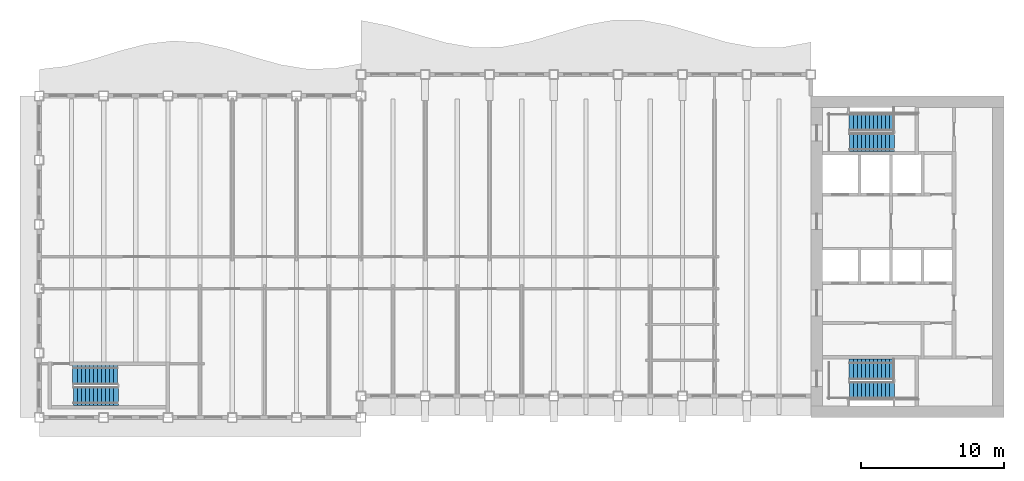
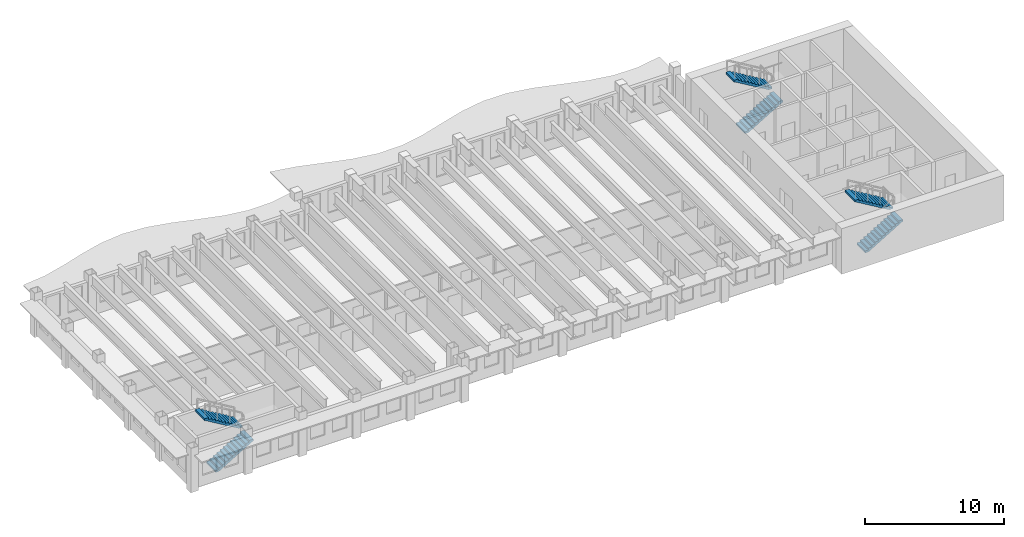
# One storey, part 7 of 12: 6 stair flights, 3 elements without a shape of their own.
"""IFC4 building model written with IfcOpenShell, lengths in metres."""

from ifc_helpers import new_model, si_unit, direction, frame, origin, place, context, subcontext, project, spatial, polyline, outline, extrude, material, type_object, element, aggregate, save


model = new_model("IFC4")

# Units and contexts
model_context = context("Model", 3, precision=1e-05, world=origin(), true_north=direction((0.0, 1.0)))
body_context = subcontext(model_context, "Body", "Model", "MODEL_VIEW")
ifc_project = project(units=[si_unit("LENGTHUNIT", "METRE"), si_unit("AREAUNIT", "SQUARE_METRE"), si_unit("VOLUMEUNIT", "CUBIC_METRE"), si_unit("PLANEANGLEUNIT", "RADIAN"), si_unit("MASSUNIT", "GRAM", prefix="KILO")], contexts=[model_context])

# Site, building, storey
site_placement = place(None, origin())
site = spatial("IfcSite", under=ifc_project, at=site_placement, CompositionType="ELEMENT")
building_placement = place(site_placement, origin())
building = spatial("IfcBuilding", under=site, at=building_placement, Name="Sennacour Bend Tower", CompositionType="ELEMENT")
storey_placement = place(building_placement, frame((0.0, 0.0, 293.0)))
storey = spatial("IfcBuildingStorey", under=building, at=storey_placement, Name="L68", CompositionType="ELEMENT", Elevation=293.0)

# Stair, stair flights
ifc_material = material(Name="Concrete C40/50", Category="concrete")
stair_type = type_object("IfcStairType", Name="ST-DOGLEG", PredefinedType="HALF_TURN_STAIR", material=ifc_material)
stair_1_placement = place(storey_placement, origin())
stair_1 = element("IfcStair", 1, at=stair_1_placement, inside=storey, type_object=stair_type, Name="L68 Exit stair A1", PredefinedType="HALF_TURN_STAIR")
stair_flight_type = type_object("IfcStairFlightType", Name="SFL-RC", PredefinedType="STRAIGHT", material=ifc_material)
stair_flight_1_placement = place(storey_placement, frame((56.699951171875, 1.89990234375, 0.0), z_axis=(0.0, 0.0, 1.0), x_axis=(1.0, 0.0, 0.0)))
stair_flight_1 = element("IfcStairFlight", 2, at=stair_flight_1_placement, type_object=stair_flight_type, Name="SA1 flight 1", NumberOfRisers=12, NumberOfTreads=11, PredefinedType="STRAIGHT", RiserHeight=0.166666667, TreadLength=0.28, context=body_context, shape_type="SweptSolid", body=[
    extrude(outline(polyline([(0.0, 0.0), (0.0, 0.166748046875), (0.280029296875, 0.166748046875), (0.280029296875, 0.333251953125), (0.56005859375, 0.333251953125), (0.56005859375, 0.5), (0.840087890625, 0.5), (0.840087890625, 0.666748046875), (1.1201171875, 0.666748046875), (1.1201171875, 0.833251953125), (1.39990234375, 0.833251953125), (1.39990234375, 1.0), (1.679931640625, 1.0), (1.679931640625, 1.166748046875), (1.9599609375, 1.166748046875), (1.9599609375, 1.333251953125), (2.239990234375, 1.333251953125), (2.239990234375, 1.5), (2.52001953125, 1.5), (2.52001953125, 1.666748046875), (2.800048828125, 1.666748046875), (2.800048828125, 1.833251953125), (3.080078125, 1.833251953125), (3.139892578125, 1.833251953125), (3.139892578125, 1.658935546875), (3.080078125, 1.658935546875), (0.29296875, 0.0), (0.0, 0.0)])), frame((0.0, 0.60009765625, 0.0), z_axis=(0.0, -1.0, 0.0), x_axis=(1.0, 0.0, 0.0)), (0.0, 0.0, 1.0), 1.199951171875),
])
stair_flight_2_placement = place(storey_placement, frame((59.780029296875, 3.37744140625, 2.0), z_axis=(0.0, 0.0, 1.0), x_axis=(-1.0, 0.0, 0.0)))
stair_flight_2 = element("IfcStairFlight", 3, at=stair_flight_2_placement, type_object=stair_flight_type, Name="SA1 flight 2", NumberOfRisers=12, NumberOfTreads=11, PredefinedType="STRAIGHT", RiserHeight=0.166666667, TreadLength=0.28, context=body_context, shape_type="SweptSolid", body=[
    extrude(outline(polyline([(0.0, 0.0), (0.0, 0.166748046875), (0.280029296875, 0.166748046875), (0.280029296875, 0.333251953125), (0.56005859375, 0.333251953125), (0.56005859375, 0.5), (0.840087890625, 0.5), (0.840087890625, 0.666748046875), (1.1201171875, 0.666748046875), (1.1201171875, 0.833251953125), (1.39990234375, 0.833251953125), (1.39990234375, 1.0), (1.679931640625, 1.0), (1.679931640625, 1.166748046875), (1.9599609375, 1.166748046875), (1.9599609375, 1.333251953125), (2.239990234375, 1.333251953125), (2.239990234375, 1.5), (2.52001953125, 1.5), (2.52001953125, 1.666748046875), (2.800048828125, 1.666748046875), (2.800048828125, 1.833251953125), (3.080078125, 1.833251953125), (3.139892578125, 1.833251953125), (3.139892578125, 1.658935546875), (3.080078125, 1.658935546875), (0.29296875, 0.0), (0.0, 0.0)])), frame((0.0, 0.7275390625, 0.0), z_axis=(0.0, -1.0, 0.0), x_axis=(1.0, 0.0, 0.0)), (0.0, 0.0, 1.0), 1.455078125),
])
aggregate(stair_1, [stair_flight_1, stair_flight_2])

stair_2_placement = place(storey_placement, origin())
stair_2 = element("IfcStair", 4, at=stair_2_placement, inside=storey, type_object=stair_type, Name="L68 Exit stair A2", PredefinedType="HALF_TURN_STAIR")
stair_flight_3_placement = place(storey_placement, frame((56.699951171875, 19.24755859375, 0.0), z_axis=(0.0, 0.0, 1.0), x_axis=(1.0, 0.0, 0.0)))
stair_flight_3 = element("IfcStairFlight", 5, at=stair_flight_3_placement, type_object=stair_flight_type, Name="SA2 flight 1", NumberOfRisers=12, NumberOfTreads=11, PredefinedType="STRAIGHT", RiserHeight=0.166666667, TreadLength=0.28, context=body_context, shape_type="SweptSolid", body=[
    extrude(outline(polyline([(0.0, 0.0), (0.0, 0.166748046875), (0.280029296875, 0.166748046875), (0.280029296875, 0.333251953125), (0.56005859375, 0.333251953125), (0.56005859375, 0.5), (0.840087890625, 0.5), (0.840087890625, 0.666748046875), (1.1201171875, 0.666748046875), (1.1201171875, 0.833251953125), (1.39990234375, 0.833251953125), (1.39990234375, 1.0), (1.679931640625, 1.0), (1.679931640625, 1.166748046875), (1.9599609375, 1.166748046875), (1.9599609375, 1.333251953125), (2.239990234375, 1.333251953125), (2.239990234375, 1.5), (2.52001953125, 1.5), (2.52001953125, 1.666748046875), (2.800048828125, 1.666748046875), (2.800048828125, 1.833251953125), (3.080078125, 1.833251953125), (3.139892578125, 1.833251953125), (3.139892578125, 1.658935546875), (3.080078125, 1.658935546875), (0.29296875, 0.0), (0.0, 0.0)])), frame((0.0, 0.65234375, 0.0), z_axis=(0.0, -1.0, 0.0), x_axis=(1.0, 0.0, 0.0)), (0.0, 0.0, 1.0), 1.304931640625),
])
stair_flight_4_placement = place(storey_placement, frame((59.780029296875, 20.64990234375, 2.0), z_axis=(0.0, 0.0, 1.0), x_axis=(-1.0, 0.0, 0.0)))
stair_flight_4 = element("IfcStairFlight", 6, at=stair_flight_4_placement, type_object=stair_flight_type, Name="SA2 flight 2", NumberOfRisers=12, NumberOfTreads=11, PredefinedType="STRAIGHT", RiserHeight=0.166666667, TreadLength=0.28, context=body_context, shape_type="SweptSolid", body=[
    extrude(outline(polyline([(0.0, 0.0), (0.0, 0.166748046875), (0.280029296875, 0.166748046875), (0.280029296875, 0.333251953125), (0.56005859375, 0.333251953125), (0.56005859375, 0.5), (0.840087890625, 0.5), (0.840087890625, 0.666748046875), (1.1201171875, 0.666748046875), (1.1201171875, 0.833251953125), (1.39990234375, 0.833251953125), (1.39990234375, 1.0), (1.679931640625, 1.0), (1.679931640625, 1.166748046875), (1.9599609375, 1.166748046875), (1.9599609375, 1.333251953125), (2.239990234375, 1.333251953125), (2.239990234375, 1.5), (2.52001953125, 1.5), (2.52001953125, 1.666748046875), (2.800048828125, 1.666748046875), (2.800048828125, 1.833251953125), (3.080078125, 1.833251953125), (3.139892578125, 1.833251953125), (3.139892578125, 1.658935546875), (3.080078125, 1.658935546875), (0.29296875, 0.0), (0.0, 0.0)])), frame((0.0, 0.60009765625, 0.0), z_axis=(0.0, -1.0, 0.0), x_axis=(1.0, 0.0, 0.0)), (0.0, 0.0, 1.0), 1.199951171875),
])
aggregate(stair_2, [stair_flight_3, stair_flight_4])

stair_3_placement = place(storey_placement, origin())
stair_3 = element("IfcStair", 7, at=stair_3_placement, inside=storey, type_object=stair_type, Name="L68 Exit stair K1", PredefinedType="HALF_TURN_STAIR")
stair_flight_5_placement = place(storey_placement, frame((2.39990234375, 1.485107421875, 0.0), z_axis=(0.0, 0.0, 1.0), x_axis=(1.0, 0.0, 0.0)))
stair_flight_5 = element("IfcStairFlight", 8, at=stair_flight_5_placement, type_object=stair_flight_type, Name="SK1 flight 1", NumberOfRisers=12, NumberOfTreads=11, PredefinedType="STRAIGHT", RiserHeight=0.166666667, TreadLength=0.28, context=body_context, shape_type="SweptSolid", body=[
    extrude(outline(polyline([(0.0, 0.0), (0.0, 0.166748046875), (0.280029296875, 0.166748046875), (0.280029296875, 0.333251953125), (0.56005859375, 0.333251953125), (0.56005859375, 0.5), (0.840087890625, 0.5), (0.840087890625, 0.666748046875), (1.1201171875, 0.666748046875), (1.1201171875, 0.833251953125), (1.39990234375, 0.833251953125), (1.39990234375, 1.0), (1.679931640625, 1.0), (1.679931640625, 1.166748046875), (1.9599609375, 1.166748046875), (1.9599609375, 1.333251953125), (2.239990234375, 1.333251953125), (2.239990234375, 1.5), (2.52001953125, 1.5), (2.52001953125, 1.666748046875), (2.800048828125, 1.666748046875), (2.800048828125, 1.833251953125), (3.080078125, 1.833251953125), (3.139892578125, 1.833251953125), (3.139892578125, 1.658935546875), (3.080078125, 1.658935546875), (0.29296875, 0.0), (0.0, 0.0)])), frame((0.0, 0.6650390625, 0.0), z_axis=(0.0, -1.0, 0.0), x_axis=(1.0, 0.0, 0.0)), (0.0, 0.0, 1.0), 1.330078125),
])
stair_flight_6_placement = place(storey_placement, frame((5.47998046875, 2.9775390625, 2.0), z_axis=(0.0, 0.0, 1.0), x_axis=(-1.0, 0.0, 0.0)))
stair_flight_6 = element("IfcStairFlight", 9, at=stair_flight_6_placement, type_object=stair_flight_type, Name="SK1 flight 2", NumberOfRisers=12, NumberOfTreads=11, PredefinedType="STRAIGHT", RiserHeight=0.166666667, TreadLength=0.28, context=body_context, shape_type="SweptSolid", body=[
    extrude(outline(polyline([(0.0, 0.0), (0.0, 0.166748046875), (0.280029296875, 0.166748046875), (0.280029296875, 0.333251953125), (0.56005859375, 0.333251953125), (0.56005859375, 0.5), (0.840087890625, 0.5), (0.840087890625, 0.666748046875), (1.1201171875, 0.666748046875), (1.1201171875, 0.833251953125), (1.39990234375, 0.833251953125), (1.39990234375, 1.0), (1.679931640625, 1.0), (1.679931640625, 1.166748046875), (1.9599609375, 1.166748046875), (1.9599609375, 1.333251953125), (2.239990234375, 1.333251953125), (2.239990234375, 1.5), (2.52001953125, 1.5), (2.52001953125, 1.666748046875), (2.800048828125, 1.666748046875), (2.800048828125, 1.833251953125), (3.080078125, 1.833251953125), (3.139892578125, 1.833251953125), (3.139892578125, 1.658935546875), (3.080078125, 1.658935546875), (0.29296875, 0.0), (0.0, 0.0)])), frame((0.0, 0.677490234375, 0.0), z_axis=(0.0, -1.0, 0.0), x_axis=(1.0, 0.0, 0.0)), (0.0, 0.0, 1.0), 1.35498046875),
])
aggregate(stair_3, [stair_flight_5, stair_flight_6])

save(model, "model.ifc")
